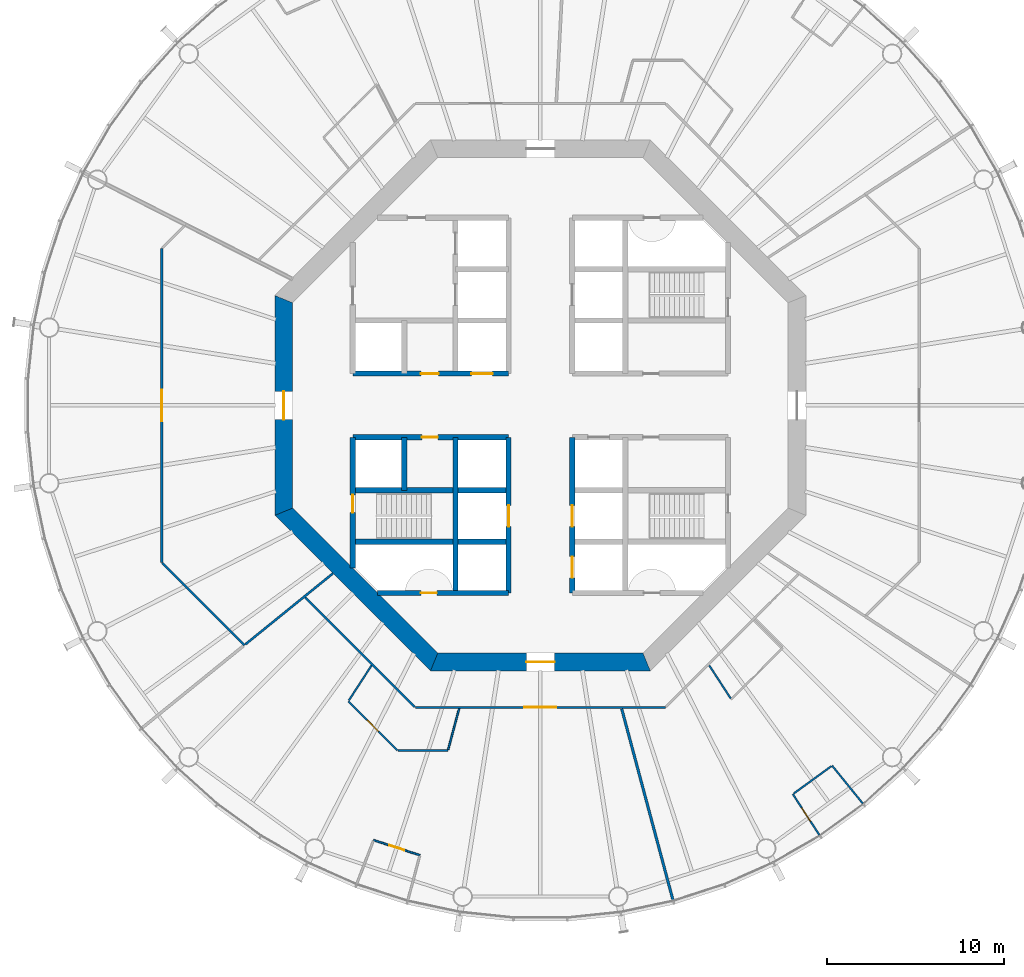
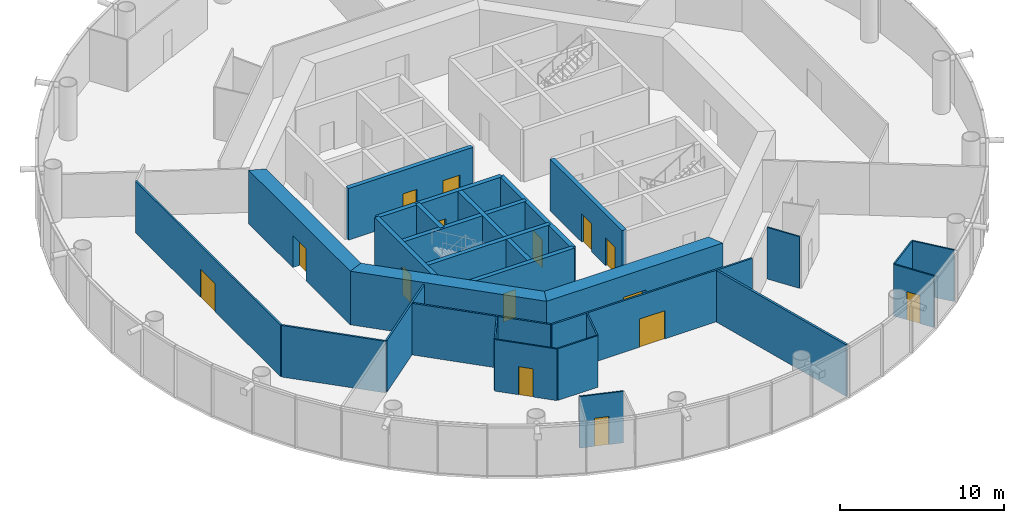
# One storey, part 3 of 17: 28 walls, 15 doors, 15 openings.
"""IFC4 building model written with IfcOpenShell, lengths in metres."""

from ifc_helpers import new_model, si_unit, direction, frame, frame_2d, origin, place, context, subcontext, project, spatial, polyline, rectangle, outline, extrude, material, layer, layer_set, type_object, element, fill, save


model = new_model("IFC4")

# Units and contexts
model_context = context("Model", 3, precision=1e-05, world=origin(), true_north=direction((0.0, 1.0)))
body_context = subcontext(model_context, "Body", "Model", "MODEL_VIEW")
ifc_project = project(units=[si_unit("LENGTHUNIT", "METRE"), si_unit("AREAUNIT", "SQUARE_METRE"), si_unit("VOLUMEUNIT", "CUBIC_METRE"), si_unit("PLANEANGLEUNIT", "RADIAN"), si_unit("MASSUNIT", "GRAM", prefix="KILO")], contexts=[model_context])

# Site, building, storey
site_placement = place(None, origin())
site = spatial("IfcSite", under=ifc_project, at=site_placement, CompositionType="ELEMENT")
building_placement = place(site_placement, origin())
building = spatial("IfcBuilding", under=site, at=building_placement, Name="Entoto Ring Tower", CompositionType="ELEMENT")
storey_placement = place(building_placement, frame((0.0, 0.0, 176.0)))
storey = spatial("IfcBuildingStorey", under=building, at=storey_placement, Name="L40", CompositionType="ELEMENT", Elevation=176.0)

# Wall, openings, doors
ifc_material_1 = material(Name="Concrete C40/50", Category="concrete")
ifc_layer_1 = layer(ifc_material_1, 0.300048828125)
ifc_layer_set_1 = layer_set([ifc_layer_1], Name="Concrete C40/50")
wall_type_1 = type_object("IfcWallType", Name="Core enclosure wall 300 mm reinforced concrete", PredefinedType="SOLIDWALL", material=ifc_layer_set_1)
wall_1_placement = place(storey_placement, frame((91.800048828125, 69.39990234375, 0.0), z_axis=(0.0, 0.0, 1.0), x_axis=(0.0, 1.0, 0.0)))
wall_1 = element("IfcWall", 1, at=wall_1_placement, inside=storey, type_object=wall_type_1, Name="wall-L40-005", PredefinedType="SOLIDWALL", context=body_context, shape_type="SweptSolid", body=[
    extrude(rectangle(XDim=8.800048828125, YDim=0.300048828125, at=frame_2d((4.39990234375, 0.0))), origin(), (0.0, 0.0, 1.0), 3.85009765625),
])
opening_1_placement = place(wall_1_placement, frame((3.75, 0.0, 0.0)))
opening_1 = element("IfcOpeningElement", 2, at=opening_1_placement, cuts=wall_1, Name="Opening LD", PredefinedType="OPENING", context=body_context, shape_type="SweptSolid", body=[
    extrude(rectangle(XDim=1.199951171875, YDim=2.10009765625, at=frame_2d((0.60009765625, 1.050048828125))), frame((0.0, 0.16015625, 0.0), z_axis=(0.0, -1.0, 0.0), x_axis=(1.0, 0.0, 0.0)), (0.0, 0.0, 1.0), 0.320068359375),
])
opening_2_placement = place(wall_1_placement, frame((0.85009765625, 0.0, 0.0)))
opening_2 = element("IfcOpeningElement", 3, at=opening_2_placement, cuts=wall_1, Name="Opening LD", PredefinedType="OPENING", context=body_context, shape_type="SweptSolid", body=[
    extrude(rectangle(XDim=1.199951171875, YDim=2.10009765625, at=frame_2d((0.60009765625, 1.050048828125))), frame((0.0, 0.16015625, 0.0), z_axis=(0.0, -1.0, 0.0), x_axis=(1.0, 0.0, 0.0)), (0.0, 0.0, 1.0), 0.320068359375),
])
ifc_material_2 = material(Name="Steel and glass door leaf", Category="steel")
ifc_layer_2 = layer(ifc_material_2, 0.050048828125)
ifc_layer_set_2 = layer_set([ifc_layer_2], Name="Steel and glass door leaf")
door_type_1 = type_object("IfcDoorType", Name="Landing door 1200 x 2100 sliding", OperationType="DOUBLE_DOOR_SLIDING", PredefinedType="DOOR", material=ifc_layer_set_2)
door_1_placement = place(opening_1_placement, origin())
door_1 = element("IfcDoor", 4, at=door_1_placement, inside=storey, type_object=door_type_1, Name="Landing door LB2-MR", OperationType="SLIDING_TO_RIGHT", OverallHeight=2.10009765625, OverallWidth=1.199951171875, PredefinedType="DOOR", context=body_context, shape_type="SweptSolid", body=[
    extrude(rectangle(XDim=1.199951171875, YDim=2.10009765625, at=frame_2d((0.60009765625, 1.050048828125))), frame((0.0, 0.02490234375, 0.0), z_axis=(0.0, -1.0, 0.0), x_axis=(1.0, 0.0, 0.0)), (0.0, 0.0, 1.0), 0.050048828125),
])
fill(opening_1, door_1)
door_2_placement = place(opening_2_placement, origin())
door_2 = element("IfcDoor", 5, at=door_2_placement, inside=storey, type_object=door_type_1, Name="Landing door LB3-MR", OperationType="SLIDING_TO_RIGHT", OverallHeight=2.10009765625, OverallWidth=1.199951171875, PredefinedType="DOOR", context=body_context, shape_type="SweptSolid", body=[
    extrude(rectangle(XDim=1.199951171875, YDim=2.10009765625, at=frame_2d((0.60009765625, 1.050048828125))), frame((0.0, 0.02490234375, 0.0), z_axis=(0.0, -1.0, 0.0), x_axis=(1.0, 0.0, 0.0)), (0.0, 0.0, 1.0), 0.050048828125),
])
fill(opening_2, door_2)

# Wall, opening, door
wall_2_placement = place(storey_placement, frame((88.199951171875, 69.39990234375, 0.0), z_axis=(0.0, 0.0, 1.0), x_axis=(0.0, 1.0, 0.0)))
wall_2 = element("IfcWall", 6, at=wall_2_placement, inside=storey, type_object=wall_type_1, Name="wall-L40-007", PredefinedType="SOLIDWALL", context=body_context, shape_type="SweptSolid", body=[
    extrude(rectangle(XDim=8.800048828125, YDim=0.300048828125, at=frame_2d((4.39990234375, 0.0))), origin(), (0.0, 0.0, 1.0), 3.85009765625),
])
opening_3_placement = place(wall_2_placement, frame((3.75, 0.0, 0.0)))
opening_3 = element("IfcOpeningElement", 7, at=opening_3_placement, cuts=wall_2, Name="Opening LD", PredefinedType="OPENING", context=body_context, shape_type="SweptSolid", body=[
    extrude(rectangle(XDim=1.199951171875, YDim=2.10009765625, at=frame_2d((0.60009765625, 1.050048828125))), frame((0.0, 0.16015625, 0.0), z_axis=(0.0, -1.0, 0.0), x_axis=(1.0, 0.0, 0.0)), (0.0, 0.0, 1.0), 0.320068359375),
])
door_3_placement = place(opening_3_placement, origin())
door_3 = element("IfcDoor", 8, at=door_3_placement, inside=storey, type_object=door_type_1, Name="Landing door LB4-MR", OperationType="SLIDING_TO_RIGHT", OverallHeight=2.10009765625, OverallWidth=1.199951171875, PredefinedType="DOOR", context=body_context, shape_type="SweptSolid", body=[
    extrude(rectangle(XDim=1.199951171875, YDim=2.10009765625, at=frame_2d((0.60009765625, 1.050048828125))), frame((0.0, 0.02490234375, 0.0), z_axis=(0.0, -1.0, 0.0), x_axis=(1.0, 0.0, 0.0)), (0.0, 0.0, 1.0), 0.050048828125),
])
fill(opening_3, door_3)

# Walls
wall_3_placement = place(storey_placement, frame((85.199951171875, 69.39990234375, 0.0), z_axis=(0.0, 0.0, 1.0), x_axis=(0.0, 1.0, 0.0)))
element("IfcWall", 9, at=wall_3_placement, inside=storey, type_object=wall_type_1, Name="wall-L40-009", PredefinedType="SOLIDWALL", context=body_context, shape_type="SweptSolid", body=[
    extrude(rectangle(XDim=8.800048828125, YDim=0.300048828125, at=frame_2d((4.39990234375, 0.0))), origin(), (0.0, 0.0, 1.0), 3.85009765625),
])
wall_4_placement = place(storey_placement, frame((82.300048828125, 75.199951171875, 0.0), z_axis=(0.0, 0.0, 1.0), x_axis=(0.0, 1.0, 0.0)))
element("IfcWall", 10, at=wall_4_placement, inside=storey, type_object=wall_type_1, Name="wall-L40-011", PredefinedType="SOLIDWALL", context=body_context, shape_type="SweptSolid", body=[
    extrude(rectangle(XDim=3.0, YDim=0.300048828125, at=frame_2d((1.5, 0.0))), origin(), (0.0, 0.0, 1.0), 3.85009765625),
])

# Wall, opening, door
wall_5_placement = place(storey_placement, frame((79.39990234375, 70.801025390625, 0.0), z_axis=(0.0, 0.0, 1.0), x_axis=(0.0, 1.0, 0.0)))
wall_5 = element("IfcWall", 11, at=wall_5_placement, inside=storey, type_object=wall_type_1, Name="wall-L40-013", PredefinedType="SOLIDWALL", context=body_context, shape_type="SweptSolid", body=[
    extrude(rectangle(XDim=7.39892578125, YDim=0.300048828125, at=frame_2d((3.699462890625, 0.0))), origin(), (0.0, 0.0, 1.0), 3.85009765625),
])
opening_4_placement = place(wall_5_placement, frame((3.14892578125, 0.0, 0.0)))
opening_4 = element("IfcOpeningElement", 12, at=opening_4_placement, cuts=wall_5, Name="Opening K-55", PredefinedType="OPENING", context=body_context, shape_type="SweptSolid", body=[
    extrude(rectangle(XDim=1.0, YDim=2.10009765625, at=frame_2d((0.5, 1.050048828125))), frame((0.0, 0.16015625, 0.0), z_axis=(0.0, -1.0, 0.0), x_axis=(1.0, 0.0, 0.0)), (0.0, 0.0, 1.0), 0.320068359375),
])
ifc_material_3 = material(Name="Steel door leaf, fire rated", Category="steel")
ifc_layer_3 = layer(ifc_material_3, 0.050048828125)
ifc_layer_set_3 = layer_set([ifc_layer_3], Name="Steel door leaf, fire rated")
door_type_2 = type_object("IfcDoorType", Name="Fire door FD60 1000 x 2100 single leaf", OperationType="NOTDEFINED", PredefinedType="DOOR", material=ifc_layer_set_3)
door_4_placement = place(opening_4_placement, frame((1.0, 0.0, 0.0), z_axis=(0.0, 0.0, 1.0), x_axis=(-1.0, 0.0, 0.0)))
door_4 = element("IfcDoor", 13, at=door_4_placement, inside=storey, type_object=door_type_2, Name="Door K-55", OperationType="SINGLE_SWING_LEFT", OverallHeight=2.10009765625, OverallWidth=1.0, PredefinedType="DOOR", context=body_context, shape_type="SweptSolid", body=[
    extrude(rectangle(XDim=1.0, YDim=2.10009765625, at=frame_2d((0.5, 1.050048828125))), frame((0.0, 0.02490234375, 0.0), z_axis=(0.0, -1.0, 0.0), x_axis=(1.0, 0.0, 0.0)), (0.0, 0.0, 1.0), 0.050048828125),
])
fill(opening_4, door_4)

wall_6_placement = place(storey_placement, frame((80.801025390625, 69.39990234375, 0.0), z_axis=(0.0, 0.0, 1.0), x_axis=(1.0, 0.0, 0.0)))
wall_6 = element("IfcWall", 14, at=wall_6_placement, inside=storey, type_object=wall_type_1, Name="wall-L40-015", PredefinedType="SOLIDWALL", context=body_context, shape_type="SweptSolid", body=[
    extrude(rectangle(XDim=7.39892578125, YDim=0.300048828125, at=frame_2d((3.699462890625, 0.0))), origin(), (0.0, 0.0, 1.0), 3.85009765625),
])
opening_5_placement = place(wall_6_placement, frame((2.448974609375, 0.0, 0.0)))
opening_5 = element("IfcOpeningElement", 15, at=opening_5_placement, cuts=wall_6, Name="Opening K-62", PredefinedType="OPENING", context=body_context, shape_type="SweptSolid", body=[
    extrude(rectangle(XDim=0.89990234375, YDim=2.10009765625, at=frame_2d((0.449951171875, 1.050048828125))), frame((0.0, 0.16015625, 0.0), z_axis=(0.0, -1.0, 0.0), x_axis=(1.0, 0.0, 0.0)), (0.0, 0.0, 1.0), 0.320068359375),
])
ifc_material_4 = material(Name="Steel door leaf, fire rated", Category="steel")
ifc_layer_4 = layer(ifc_material_4, 0.050048828125)
ifc_layer_set_4 = layer_set([ifc_layer_4], Name="Steel door leaf, fire rated")
door_type_3 = type_object("IfcDoorType", Name="Riser door FD60 900 x 2100 single leaf", OperationType="NOTDEFINED", PredefinedType="DOOR", material=ifc_layer_set_4)
door_5_placement = place(opening_5_placement, origin())
door_5 = element("IfcDoor", 16, at=door_5_placement, inside=storey, type_object=door_type_3, Name="Door K-62", OperationType="SINGLE_SWING_RIGHT", OverallHeight=2.10009765625, OverallWidth=0.89990234375, PredefinedType="DOOR", context=body_context, shape_type="SweptSolid", body=[
    extrude(rectangle(XDim=0.89990234375, YDim=2.10009765625, at=frame_2d((0.449951171875, 1.050048828125))), frame((0.0, 0.02490234375, 0.0), z_axis=(0.0, -1.0, 0.0), x_axis=(1.0, 0.0, 0.0)), (0.0, 0.0, 1.0), 0.050048828125),
])
fill(opening_5, door_5)

# Walls
for number, where, z_axis, x_axis, name in (
    (17, (79.39990234375, 72.300048828125, 0.0), (0.0, 0.0, 1.0), (1.0, 0.0, 0.0), "wall-L40-017"),
    (18, (79.39990234375, 75.199951171875, 0.0), (0.0, 0.0, 1.0), (1.0, 0.0, 0.0), "wall-L40-019"),
):
    element("IfcWall", number, at=place(storey_placement, frame(where, z_axis=z_axis, x_axis=x_axis)), inside=storey, type_object=wall_type_1, Name=name, PredefinedType="SOLIDWALL", context=body_context, shape_type="SweptSolid", body=[
        extrude(rectangle(XDim=8.800048828125, YDim=0.300048828125, at=frame_2d((4.39990234375, 0.0))), origin(), (0.0, 0.0, 1.0), 3.85009765625),
    ])

# Wall, opening, door
wall_7_placement = place(storey_placement, frame((79.39990234375, 78.199951171875, 0.0), z_axis=(0.0, 0.0, 1.0), x_axis=(1.0, 0.0, 0.0)))
wall_7 = element("IfcWall", 19, at=wall_7_placement, inside=storey, type_object=wall_type_1, Name="wall-L40-021", PredefinedType="SOLIDWALL", context=body_context, shape_type="SweptSolid", body=[
    extrude(rectangle(XDim=8.800048828125, YDim=0.300048828125, at=frame_2d((4.39990234375, 0.0))), origin(), (0.0, 0.0, 1.0), 3.85009765625),
])
opening_6_placement = place(wall_7_placement, frame((3.89990234375, 0.0, 0.0)))
opening_6 = element("IfcOpeningElement", 20, at=opening_6_placement, cuts=wall_7, Name="Opening K-14", PredefinedType="OPENING", context=body_context, shape_type="SweptSolid", body=[
    extrude(rectangle(XDim=0.89990234375, YDim=2.10009765625, at=frame_2d((0.449951171875, 1.050048828125))), frame((0.0, 0.16015625, 0.0), z_axis=(0.0, -1.0, 0.0), x_axis=(1.0, 0.0, 0.0)), (0.0, 0.0, 1.0), 0.320068359375),
])
ifc_material_5 = material(Name="Steel door leaf, fire rated", Category="steel")
ifc_layer_5 = layer(ifc_material_5, 0.050048828125)
ifc_layer_set_5 = layer_set([ifc_layer_5], Name="Steel door leaf, fire rated")
door_type_4 = type_object("IfcDoorType", Name="Core door 900 x 2100 single leaf", OperationType="NOTDEFINED", PredefinedType="DOOR", material=ifc_layer_set_5)
door_6_placement = place(opening_6_placement, frame((0.89990234375, 0.0, 0.0), z_axis=(0.0, 0.0, 1.0), x_axis=(-1.0, 0.0, 0.0)))
door_6 = element("IfcDoor", 21, at=door_6_placement, inside=storey, type_object=door_type_4, Name="Door K-14", OperationType="SINGLE_SWING_LEFT", OverallHeight=2.10009765625, OverallWidth=0.89990234375, PredefinedType="DOOR", context=body_context, shape_type="SweptSolid", body=[
    extrude(rectangle(XDim=0.89990234375, YDim=2.10009765625, at=frame_2d((0.449951171875, 1.050048828125))), frame((0.0, 0.02490234375, 0.0), z_axis=(0.0, -1.0, 0.0), x_axis=(1.0, 0.0, 0.0)), (0.0, 0.0, 1.0), 0.050048828125),
])
fill(opening_6, door_6)

# Wall, openings, doors
wall_8_placement = place(storey_placement, frame((79.39990234375, 81.800048828125, 0.0), z_axis=(0.0, 0.0, 1.0), x_axis=(1.0, 0.0, 0.0)))
wall_8 = element("IfcWall", 22, at=wall_8_placement, inside=storey, type_object=wall_type_1, Name="wall-L40-023", PredefinedType="SOLIDWALL", context=body_context, shape_type="SweptSolid", body=[
    extrude(rectangle(XDim=8.800048828125, YDim=0.300048828125, at=frame_2d((4.39990234375, 0.0))), origin(), (0.0, 0.0, 1.0), 3.85009765625),
])
opening_7_placement = place(wall_8_placement, frame((6.699951171875, 0.0, 0.0)))
opening_7 = element("IfcOpeningElement", 23, at=opening_7_placement, cuts=wall_8, Name="Opening LD", PredefinedType="OPENING", context=body_context, shape_type="SweptSolid", body=[
    extrude(rectangle(XDim=1.199951171875, YDim=2.10009765625, at=frame_2d((0.60009765625, 1.050048828125))), frame((0.0, 0.16015625, 0.0), z_axis=(0.0, -1.0, 0.0), x_axis=(1.0, 0.0, 0.0)), (0.0, 0.0, 1.0), 0.320068359375),
])
opening_8_placement = place(wall_8_placement, frame((3.85009765625, 0.0, 0.0)))
opening_8 = element("IfcOpeningElement", 24, at=opening_8_placement, cuts=wall_8, Name="Opening K-13", PredefinedType="OPENING", context=body_context, shape_type="SweptSolid", body=[
    extrude(rectangle(XDim=1.0, YDim=2.10009765625, at=frame_2d((0.5, 1.050048828125))), frame((0.0, 0.16015625, 0.0), z_axis=(0.0, -1.0, 0.0), x_axis=(1.0, 0.0, 0.0)), (0.0, 0.0, 1.0), 0.320068359375),
])
ifc_material_6 = material(Name="Steel door leaf, fire rated", Category="steel")
ifc_layer_6 = layer(ifc_material_6, 0.050048828125)
ifc_layer_set_6 = layer_set([ifc_layer_6], Name="Steel door leaf, fire rated")
door_type_5 = type_object("IfcDoorType", Name="Accessible door 1000 x 2100 single leaf", OperationType="NOTDEFINED", PredefinedType="DOOR", material=ifc_layer_set_6)
door_7_placement = place(opening_8_placement, origin())
door_7 = element("IfcDoor", 25, at=door_7_placement, inside=storey, type_object=door_type_5, Name="Door K-13", OperationType="SINGLE_SWING_LEFT", OverallHeight=2.10009765625, OverallWidth=1.0, PredefinedType="DOOR", context=body_context, shape_type="SweptSolid", body=[
    extrude(rectangle(XDim=1.0, YDim=2.10009765625, at=frame_2d((0.5, 1.050048828125))), frame((0.0, 0.02490234375, 0.0), z_axis=(0.0, -1.0, 0.0), x_axis=(1.0, 0.0, 0.0)), (0.0, 0.0, 1.0), 0.050048828125),
])
fill(opening_8, door_7)
door_8_placement = place(opening_7_placement, origin())
door_8 = element("IfcDoor", 26, at=door_8_placement, inside=storey, type_object=door_type_1, Name="Landing door LB5-MR", OperationType="SLIDING_TO_LEFT", OverallHeight=2.10009765625, OverallWidth=1.199951171875, PredefinedType="DOOR", context=body_context, shape_type="SweptSolid", body=[
    extrude(rectangle(XDim=1.199951171875, YDim=2.10009765625, at=frame_2d((0.60009765625, 1.050048828125))), frame((0.0, 0.02490234375, 0.0), z_axis=(0.0, -1.0, 0.0), x_axis=(1.0, 0.0, 0.0)), (0.0, 0.0, 1.0), 0.050048828125),
])
fill(opening_7, door_8)

# Wall, opening, door
ifc_material_7 = material(Name="Concrete C50/60", Category="concrete")
ifc_layer_7 = layer(ifc_material_7, 1.0)
ifc_layer_set_7 = layer_set([ifc_layer_7], Name="Concrete C50/60")
wall_type_2 = type_object("IfcWallType", Name="Core shear wall 1000 mm reinforced concrete C50/60", PredefinedType="SHEAR", material=ifc_layer_set_7)
wall_9_placement = place(storey_placement, frame((75.5, 86.006103515625, 0.0), z_axis=(0.0, 0.0, 1.0), x_axis=(0.0, -1.0, 0.0)))
wall_9 = element("IfcWall", 27, at=wall_9_placement, inside=storey, type_object=wall_type_2, Name="wall-L40-core-4", PredefinedType="SHEAR", context=body_context, shape_type="SweptSolid", body=[
    extrude(outline(polyline([(-0.20703125, -0.5), (12.21923828125, -0.5), (11.80517578125, 0.5), (0.20703125, 0.5), (-0.20703125, -0.5)])), origin(), (0.0, 0.0, 1.0), 4.0),
])
opening_9_placement = place(wall_9_placement, frame((5.2060546875, 0.0, 0.0)))
opening_9 = element("IfcOpeningElement", 28, at=opening_9_placement, cuts=wall_9, Name="Opening K-03", PredefinedType="OPENING", context=body_context, shape_type="SweptSolid", body=[
    extrude(rectangle(XDim=1.60009765625, YDim=2.39990234375, at=frame_2d((0.800048828125, 1.199951171875))), frame((0.0, 0.510009765625, 0.0), z_axis=(0.0, -1.0, 0.0), x_axis=(1.0, 0.0, 0.0)), (0.0, 0.0, 1.0), 1.02001953125),
])
ifc_material_8 = material(Name="Steel door leaf, fire rated", Category="steel")
ifc_layer_8 = layer(ifc_material_8, 0.050048828125)
ifc_layer_set_8 = layer_set([ifc_layer_8], Name="Steel door leaf, fire rated")
door_type_6 = type_object("IfcDoorType", Name="Entrance door FD60 1600 x 2400 double leaf", OperationType="DOUBLE_DOOR_SINGLE_SWING", PredefinedType="DOOR", material=ifc_layer_set_8)
door_9_placement = place(opening_9_placement, origin())
door_9 = element("IfcDoor", 29, at=door_9_placement, inside=storey, type_object=door_type_6, Name="Entrance door K-03", OperationType="DOUBLE_DOOR_SINGLE_SWING", OverallHeight=2.39990234375, OverallWidth=1.60009765625, PredefinedType="DOOR", context=body_context, shape_type="SweptSolid", body=[
    extrude(rectangle(XDim=1.60009765625, YDim=2.39990234375, at=frame_2d((0.800048828125, 1.199951171875))), frame((0.0, 0.02490234375, 0.0), z_axis=(0.0, -1.0, 0.0), x_axis=(1.0, 0.0, 0.0)), (0.0, 0.0, 1.0), 0.050048828125),
])
fill(opening_9, door_9)

# Wall
wall_10_placement = place(storey_placement, frame((75.5, 73.993896484375, 0.0), z_axis=(0.0, 0.0, 1.0), x_axis=(0.707106781187, -0.707106781187, 0.0)))
element("IfcWall", 30, at=wall_10_placement, inside=storey, type_object=wall_type_2, Name="wall-L40-core-5", PredefinedType="SHEAR", context=body_context, shape_type="SweptSolid", body=[
    extrude(outline(polyline([(-0.20703125, -0.5), (12.21923828125, -0.5), (11.80517578125, 0.5), (0.20703125, 0.5), (-0.20703125, -0.5)])), origin(), (0.0, 0.0, 1.0), 4.0),
])

# Wall, opening, door
wall_11_placement = place(storey_placement, frame((83.993896484375, 65.5, 0.0), z_axis=(0.0, 0.0, 1.0), x_axis=(1.0, 0.0, 0.0)))
wall_11 = element("IfcWall", 31, at=wall_11_placement, inside=storey, type_object=wall_type_2, Name="wall-L40-core-6", PredefinedType="SHEAR", context=body_context, shape_type="SweptSolid", body=[
    extrude(outline(polyline([(-0.20703125, -0.5), (12.21923828125, -0.5), (11.80517578125, 0.5), (0.20703125, 0.5), (-0.20703125, -0.5)])), origin(), (0.0, 0.0, 1.0), 4.0),
])
opening_10_placement = place(wall_11_placement, frame((5.2060546875, 0.0, 0.0)))
opening_10 = element("IfcOpeningElement", 32, at=opening_10_placement, cuts=wall_11, Name="Opening K-04", PredefinedType="OPENING", context=body_context, shape_type="SweptSolid", body=[
    extrude(rectangle(XDim=1.60009765625, YDim=2.39990234375, at=frame_2d((0.800048828125, 1.199951171875))), frame((0.0, 0.510009765625, 0.0), z_axis=(0.0, -1.0, 0.0), x_axis=(1.0, 0.0, 0.0)), (0.0, 0.0, 1.0), 1.02001953125),
])
door_10_placement = place(opening_10_placement, origin())
door_10 = element("IfcDoor", 33, at=door_10_placement, inside=storey, type_object=door_type_6, Name="Entrance door K-04", OperationType="DOUBLE_DOOR_SINGLE_SWING", OverallHeight=2.39990234375, OverallWidth=1.60009765625, PredefinedType="DOOR", context=body_context, shape_type="SweptSolid", body=[
    extrude(rectangle(XDim=1.60009765625, YDim=2.39990234375, at=frame_2d((0.800048828125, 1.199951171875))), frame((0.0, 0.02490234375, 0.0), z_axis=(0.0, -1.0, 0.0), x_axis=(1.0, 0.0, 0.0)), (0.0, 0.0, 1.0), 0.050048828125),
])
fill(opening_10, door_10)

ifc_material_9 = material(Name="Fire-resisting plasterboard on steel studs", Category="steel")
ifc_layer_9 = layer(ifc_material_9, 0.125)
ifc_layer_set_9 = layer_set([ifc_layer_9], Name="Fire-resisting plasterboard on steel studs")
wall_type_3 = type_object("IfcWallType", Name="Corridor wall 125 mm one-hour plasterboard on steel studs", PredefinedType="PARTITIONING", material=ifc_layer_set_9)
wall_12_placement = place(storey_placement, frame((68.60009765625, 71.1357421875, 0.0), z_axis=(0.0, 0.0, 1.0), x_axis=(0.0, 1.0, 0.0)))
wall_12 = element("IfcWall", 34, at=wall_12_placement, inside=storey, type_object=wall_type_3, Name="partition-L40-001", PredefinedType="PARTITIONING", context=body_context, shape_type="SweptSolid", body=[
    extrude(rectangle(XDim=17.728515625, YDim=0.125, at=frame_2d((8.8642578125, 0.0))), origin(), (0.0, 0.0, 1.0), 3.85009765625),
])
opening_11_placement = place(wall_12_placement, frame((7.964111328125, 0.0, 0.0)))
opening_11 = element("IfcOpeningElement", 35, at=opening_11_placement, cuts=wall_12, Name="Opening A17-D02", PredefinedType="OPENING", context=body_context, shape_type="SweptSolid", body=[
    extrude(rectangle(XDim=1.800048828125, YDim=2.10009765625, at=frame_2d((0.89990234375, 1.050048828125))), frame((0.0, 0.072509765625, 0.0), z_axis=(0.0, -1.0, 0.0), x_axis=(1.0, 0.0, 0.0)), (0.0, 0.0, 1.0), 0.14501953125),
])
ifc_material_10 = material(Name="Fire-resisting timber door set", Category="wood")
door_type_7 = type_object("IfcDoorType", Name="Door 1800 x 2100 double leaf FD30S fire door", OperationType="DOUBLE_DOOR_SINGLE_SWING", PredefinedType="DOOR", material=ifc_material_10)
door_11_placement = place(opening_11_placement, origin())
door_11 = element("IfcDoor", 36, at=door_11_placement, inside=storey, type_object=door_type_7, Name="Door A17-D02", OperationType="DOUBLE_DOOR_SINGLE_SWING", OverallHeight=2.10009765625, OverallWidth=1.800048828125, PredefinedType="DOOR", context=body_context, shape_type="SweptSolid", body=[
    extrude(rectangle(XDim=1.800048828125, YDim=2.10009765625, at=frame_2d((0.89990234375, 1.050048828125))), frame((0.0, 0.02490234375, 0.0), z_axis=(0.0, -1.0, 0.0), x_axis=(1.0, 0.0, 0.0)), (0.0, 0.0, 1.0), 0.050048828125),
])
fill(opening_11, door_11)

wall_13_placement = place(storey_placement, frame((82.9326171875, 62.9375, 0.0), z_axis=(0.0, 0.0, 1.0), x_axis=(1.0, 0.0, 0.0)))
wall_13 = element("IfcWall", 37, at=wall_13_placement, inside=storey, type_object=wall_type_3, Name="partition-L40-003", PredefinedType="PARTITIONING", context=body_context, shape_type="SweptSolid", body=[
    extrude(rectangle(XDim=14.134765625, YDim=0.125, at=frame_2d((7.0673828125, 0.0))), origin(), (0.0, 0.0, 1.0), 3.85009765625),
])
opening_12_placement = place(wall_13_placement, frame((6.16748046875, 0.0, 0.0)))
opening_12 = element("IfcOpeningElement", 38, at=opening_12_placement, cuts=wall_13, Name="Opening A17-D09", PredefinedType="OPENING", context=body_context, shape_type="SweptSolid", body=[
    extrude(rectangle(XDim=1.800048828125, YDim=2.10009765625, at=frame_2d((0.89990234375, 1.050048828125))), frame((0.0, 0.072509765625, 0.0), z_axis=(0.0, -1.0, 0.0), x_axis=(1.0, 0.0, 0.0)), (0.0, 0.0, 1.0), 0.14501953125),
])
door_12_placement = place(opening_12_placement, frame((1.800048828125, 0.0, 0.0), z_axis=(0.0, 0.0, 1.0), x_axis=(-1.0, 0.0, 0.0)))
door_12 = element("IfcDoor", 39, at=door_12_placement, inside=storey, type_object=door_type_7, Name="Door A17-D09", OperationType="DOUBLE_DOOR_SINGLE_SWING", OverallHeight=2.10009765625, OverallWidth=1.800048828125, PredefinedType="DOOR", context=body_context, shape_type="SweptSolid", body=[
    extrude(rectangle(XDim=1.800048828125, YDim=2.10009765625, at=frame_2d((0.89990234375, 1.050048828125))), frame((0.0, 0.02490234375, 0.0), z_axis=(0.0, -1.0, 0.0), x_axis=(1.0, 0.0, 0.0)), (0.0, 0.0, 1.0), 0.050048828125),
])
fill(opening_12, door_12)

# Walls
wall_14_placement = place(storey_placement, frame((82.9013671875, 62.968505859375, 0.0), z_axis=(0.0, 0.0, 1.0), x_axis=(-0.707092826187, 0.70712073591, 0.0)))
element("IfcWall", 40, at=wall_14_placement, inside=storey, type_object=wall_type_3, Name="partition-L40-008", PredefinedType="PARTITIONING", context=body_context, shape_type="SweptSolid", body=[
    extrude(rectangle(XDim=8.74755859375, YDim=0.125, at=frame_2d((4.373779296875, 0.0))), origin(), (0.0, 0.0, 1.0), 3.85009765625),
])
wall_15_placement = place(storey_placement, frame((73.277587890625, 66.45849609375, 0.0), z_axis=(0.0, 0.0, 1.0), x_axis=(-0.707125358217, 0.707088203668, 0.0)))
element("IfcWall", 41, at=wall_15_placement, inside=storey, type_object=wall_type_3, Name="partition-L40-010", PredefinedType="PARTITIONING", context=body_context, shape_type="SweptSolid", body=[
    extrude(rectangle(XDim=6.571044921875, YDim=0.125, at=frame_2d((3.28564453125, 0.0))), origin(), (0.0, 0.0, 1.0), 3.85009765625),
])
wall_16_placement = place(storey_placement, frame((73.32568359375, 66.49755859375, 0.0), z_axis=(0.0, 0.0, 1.0), x_axis=(0.777147622925, 0.629318339302, 0.0)))
element("IfcWall", 42, at=wall_16_placement, inside=storey, type_object=wall_type_3, Name="partition-L40-013", PredefinedType="PARTITIONING", context=body_context, shape_type="SweptSolid", body=[
    extrude(rectangle(XDim=6.373046875, YDim=0.125, at=frame_2d((3.1865234375, 0.0))), origin(), (0.0, 0.0, 1.0), 3.85009765625),
])

# Wall, opening, door
ifc_material_11 = material(Name="Plasterboard on steel studs", Category="steel")
ifc_layer_10 = layer(ifc_material_11, 0.10009765625)
ifc_layer_set_10 = layer_set([ifc_layer_10], Name="Plasterboard on steel studs")
wall_type_4 = type_object("IfcWallType", Name="Partition 100 mm plasterboard on steel studs", PredefinedType="PARTITIONING", material=ifc_layer_set_10)
wall_17_placement = place(storey_placement, frame((81.92578125, 60.507568359375, 0.0), z_axis=(0.0, 0.0, 1.0), x_axis=(-0.707075724824, 0.707137836185, 0.0)))
wall_17 = element("IfcWall", 43, at=wall_17_placement, inside=storey, type_object=wall_type_4, Name="partition-L40-027", PredefinedType="PARTITIONING", context=body_context, shape_type="SweptSolid", body=[
    extrude(rectangle(XDim=3.9306640625, YDim=0.10009765625, at=frame_2d((1.96533203125, 0.0))), origin(), (0.0, 0.0, 1.0), 3.85009765625),
])
opening_13_placement = place(wall_17_placement, frame((1.515380859375, 0.0, 0.0)))
opening_13 = element("IfcOpeningElement", 44, at=opening_13_placement, cuts=wall_17, Name="Opening A17-D10", PredefinedType="OPENING", context=body_context, shape_type="SweptSolid", body=[
    extrude(rectangle(XDim=0.89990234375, YDim=2.10009765625, at=frame_2d((0.449951171875, 1.050048828125))), frame((0.0, 0.06005859375, 0.0), z_axis=(0.0, -1.0, 0.0), x_axis=(1.0, 0.0, 0.0)), (0.0, 0.0, 1.0), 0.1201171875),
])
ifc_material_12 = material(Name="Veneered timber door leaf in timber frame", Category="wood")
door_type_8 = type_object("IfcDoorType", Name="Door 900 x 2100 single leaf timber veneer", OperationType="NOTDEFINED", PredefinedType="DOOR", material=ifc_material_12)
door_13_placement = place(opening_13_placement, frame((0.89990234375, 0.0, 0.0), z_axis=(0.0, 0.0, 1.0), x_axis=(-1.0, 0.0, 0.0)))
door_13 = element("IfcDoor", 45, at=door_13_placement, inside=storey, type_object=door_type_8, Name="Door A17-D10", OperationType="SINGLE_SWING_LEFT", OverallHeight=2.10009765625, OverallWidth=0.89990234375, PredefinedType="DOOR", context=body_context, shape_type="SweptSolid", body=[
    extrude(rectangle(XDim=0.89990234375, YDim=2.10009765625, at=frame_2d((0.449951171875, 1.050048828125))), frame((0.0, 0.02490234375, 0.0), z_axis=(0.0, -1.0, 0.0), x_axis=(1.0, 0.0, 0.0)), (0.0, 0.0, 1.0), 0.050048828125),
])
fill(opening_13, door_13)

# Wall
wall_18_placement = place(storey_placement, frame((81.961181640625, 60.507568359375, 0.0), z_axis=(0.0, 0.0, 1.0), x_axis=(1.0, 0.0, 0.0)))
element("IfcWall", 46, at=wall_18_placement, inside=storey, type_object=wall_type_4, Name="partition-L40-029", PredefinedType="PARTITIONING", context=body_context, shape_type="SweptSolid", body=[
    extrude(rectangle(XDim=2.81591796875, YDim=0.10009765625, at=frame_2d((1.407958984375, 0.0))), origin(), (0.0, 0.0, 1.0), 3.85009765625),
])

# Wall, opening, door
wall_19_placement = place(storey_placement, frame((83.1904296875, 54.58642578125, 0.0), z_axis=(0.0, 0.0, 1.0), x_axis=(-0.951049702994, 0.309037962774, 0.0)))
wall_19 = element("IfcWall", 47, at=wall_19_placement, inside=storey, type_object=wall_type_4, Name="partition-L40-032", PredefinedType="PARTITIONING", context=body_context, shape_type="SweptSolid", body=[
    extrude(rectangle(XDim=2.75390625, YDim=0.10009765625, at=frame_2d((1.376953125, 0.0))), origin(), (0.0, 0.0, 1.0), 3.85009765625),
])
opening_14_placement = place(wall_19_placement, frame((0.927001953125, 0.0, 0.0)))
opening_14 = element("IfcOpeningElement", 48, at=opening_14_placement, cuts=wall_19, Name="Opening A17-D11", PredefinedType="OPENING", context=body_context, shape_type="SweptSolid", body=[
    extrude(rectangle(XDim=0.89990234375, YDim=2.10009765625, at=frame_2d((0.449951171875, 1.050048828125))), frame((0.0, 0.06005859375, 0.0), z_axis=(0.0, -1.0, 0.0), x_axis=(1.0, 0.0, 0.0)), (0.0, 0.0, 1.0), 0.1201171875),
])
door_14_placement = place(opening_14_placement, origin())
door_14 = element("IfcDoor", 49, at=door_14_placement, inside=storey, type_object=door_type_8, Name="Door A17-D11", OperationType="SINGLE_SWING_RIGHT", OverallHeight=2.10009765625, OverallWidth=0.89990234375, PredefinedType="DOOR", context=body_context, shape_type="SweptSolid", body=[
    extrude(rectangle(XDim=0.89990234375, YDim=2.10009765625, at=frame_2d((0.449951171875, 1.050048828125))), frame((0.0, 0.02490234375, 0.0), z_axis=(0.0, -1.0, 0.0), x_axis=(1.0, 0.0, 0.0)), (0.0, 0.0, 1.0), 0.050048828125),
])
fill(opening_14, door_14)

wall_20_placement = place(storey_placement, frame((105.761962890625, 55.72900390625, 0.0), z_axis=(0.0, 0.0, 1.0), x_axis=(-0.544682489576, 0.838642346623, 0.0)))
wall_20 = element("IfcWall", 50, at=wall_20_placement, inside=storey, type_object=wall_type_4, Name="partition-L40-033", PredefinedType="PARTITIONING", context=body_context, shape_type="SweptSolid", body=[
    extrude(rectangle(XDim=2.749755859375, YDim=0.10009765625, at=frame_2d((1.375, 0.0))), origin(), (0.0, 0.0, 1.0), 3.85009765625),
])
opening_15_placement = place(wall_20_placement, frame((0.925048828125, 0.0, 0.0)))
opening_15 = element("IfcOpeningElement", 51, at=opening_15_placement, cuts=wall_20, Name="Opening A17-D14", PredefinedType="OPENING", context=body_context, shape_type="SweptSolid", body=[
    extrude(rectangle(XDim=0.89990234375, YDim=2.10009765625, at=frame_2d((0.449951171875, 1.050048828125))), frame((0.0, 0.06005859375, 0.0), z_axis=(0.0, -1.0, 0.0), x_axis=(1.0, 0.0, 0.0)), (0.0, 0.0, 1.0), 0.1201171875),
])
door_15_placement = place(opening_15_placement, frame((0.89990234375, 0.0, 0.0), z_axis=(0.0, 0.0, 1.0), x_axis=(-1.0, 0.0, 0.0)))
door_15 = element("IfcDoor", 52, at=door_15_placement, inside=storey, type_object=door_type_8, Name="Door A17-D14", OperationType="SINGLE_SWING_RIGHT", OverallHeight=2.10009765625, OverallWidth=0.89990234375, PredefinedType="DOOR", context=body_context, shape_type="SweptSolid", body=[
    extrude(rectangle(XDim=0.89990234375, YDim=2.10009765625, at=frame_2d((0.449951171875, 1.050048828125))), frame((0.0, 0.02490234375, 0.0), z_axis=(0.0, -1.0, 0.0), x_axis=(1.0, 0.0, 0.0)), (0.0, 0.0, 1.0), 0.050048828125),
])
fill(opening_15, door_15)

# Walls
wall_21_placement = place(storey_placement, frame((108.21240234375, 57.509521484375, 0.0), z_axis=(0.0, 0.0, 1.0), x_axis=(-0.629318265291, 0.777147682858, 0.0)))
element("IfcWall", 53, at=wall_21_placement, inside=storey, type_object=wall_type_4, Name="partition-L40-034", PredefinedType="PARTITIONING", context=body_context, shape_type="SweptSolid", body=[
    extrude(rectangle(XDim=2.749755859375, YDim=0.10009765625, at=frame_2d((1.375, 0.0))), origin(), (0.0, 0.0, 1.0), 3.85009765625),
])
wall_22_placement = place(storey_placement, frame((104.304443359375, 58.064697265625, 0.0), z_axis=(0.0, 0.0, 1.0), x_axis=(0.809035750741, 0.587759435503, 0.0)))
element("IfcWall", 54, at=wall_22_placement, inside=storey, type_object=wall_type_4, Name="partition-L40-035", PredefinedType="PARTITIONING", context=body_context, shape_type="SweptSolid", body=[
    extrude(rectangle(XDim=2.641357421875, YDim=0.10009765625, at=frame_2d((1.32080078125, 0.0))), origin(), (0.0, 0.0, 1.0), 3.85009765625),
])
wall_23_placement = place(storey_placement, frame((84.78955078125, 60.553955078125, 0.0), z_axis=(0.0, 0.0, 1.0), x_axis=(0.258775235292, 0.965937564028, 0.0)))
element("IfcWall", 55, at=wall_23_placement, inside=storey, type_object=wall_type_4, Name="partition-L40-042", PredefinedType="PARTITIONING", context=body_context, shape_type="SweptSolid", body=[
    extrude(rectangle(XDim=2.3896484375, YDim=0.10009765625, at=frame_2d((1.19482421875, 0.0))), origin(), (0.0, 0.0, 1.0), 3.85009765625),
])
wall_24_placement = place(storey_placement, frame((79.173095703125, 63.327880859375, 0.0), z_axis=(0.0, 0.0, 1.0), x_axis=(0.544613944072, 0.838686861661, 0.0)))
element("IfcWall", 56, at=wall_24_placement, inside=storey, type_object=wall_type_4, Name="partition-L40-044", PredefinedType="PARTITIONING", context=body_context, shape_type="SweptSolid", body=[
    extrude(rectangle(XDim=2.361083984375, YDim=0.10009765625, at=frame_2d((1.1806640625, 0.0))), origin(), (0.0, 0.0, 1.0), 3.85009765625),
])
wall_25_placement = place(storey_placement, frame((100.753173828125, 63.441650390625, 0.0), z_axis=(0.0, 0.0, 1.0), x_axis=(-0.544660558482, 0.83865659005, 0.0)))
element("IfcWall", 57, at=wall_25_placement, inside=storey, type_object=wall_type_4, Name="partition-L40-046", PredefinedType="PARTITIONING", context=body_context, shape_type="SweptSolid", body=[
    extrude(rectangle(XDim=2.2255859375, YDim=0.10009765625, at=frame_2d((1.11279296875, 0.0))), origin(), (0.0, 0.0, 1.0), 3.85009765625),
])
ifc_material_13 = material(Name="Fire-resisting acoustic plasterboard on steel studs", Category="steel")
ifc_layer_11 = layer(ifc_material_13, 0.14990234375)
ifc_layer_set_11 = layer_set([ifc_layer_11], Name="Fire-resisting acoustic plasterboard on steel studs")
wall_type_5 = type_object("IfcWallType", Name="Party wall 150 mm one-hour acoustic plasterboard on steel studs", PredefinedType="PARTITIONING", material=ifc_layer_set_11)
wall_26_placement = place(storey_placement, frame((97.490234375, 52.046142578125, 0.0), z_axis=(0.0, 0.0, 1.0), x_axis=(-0.258824776052, 0.965924290668, 0.0)))
element("IfcWall", 58, at=wall_26_placement, inside=storey, type_object=wall_type_5, Name="partition-L40-018", PredefinedType="PARTITIONING", context=body_context, shape_type="SweptSolid", body=[
    extrude(rectangle(XDim=11.19091796875, YDim=0.14990234375, at=frame_2d((5.595458984375, 0.0))), origin(), (0.0, 0.0, 1.0), 3.85009765625),
])

save(model, "model.ifc")
